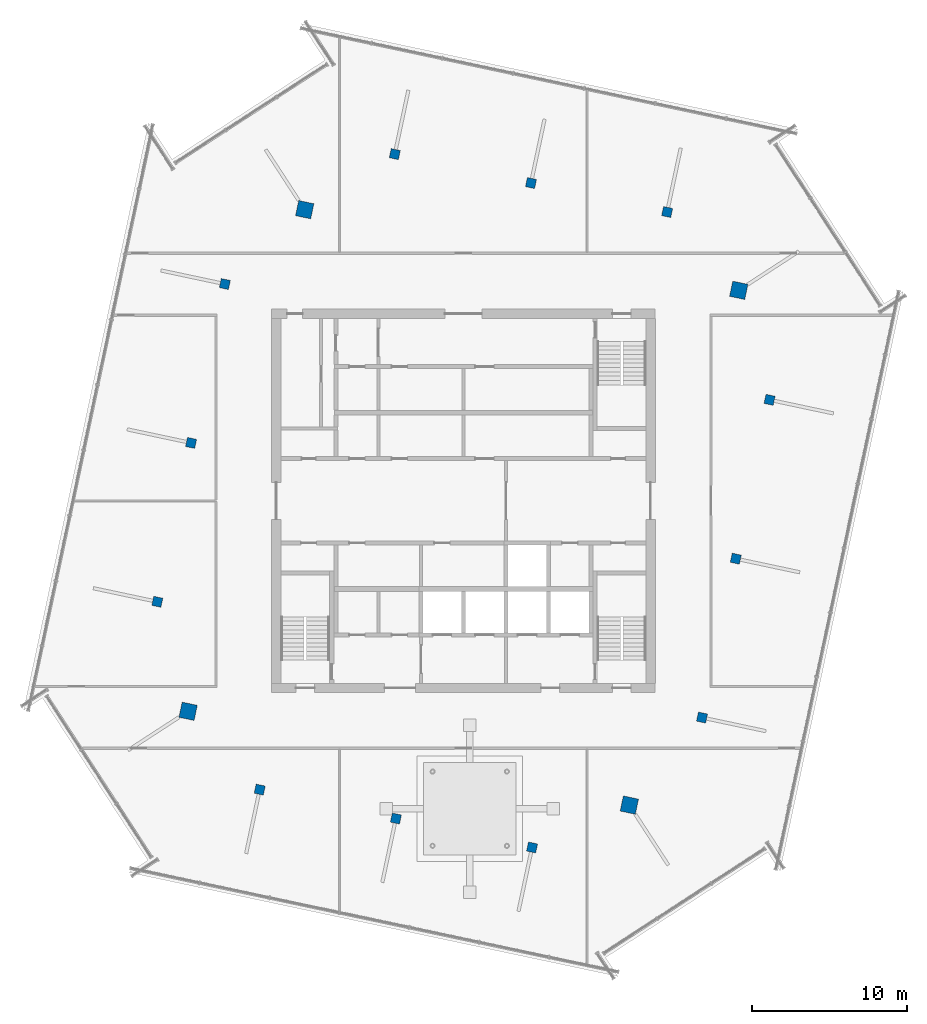
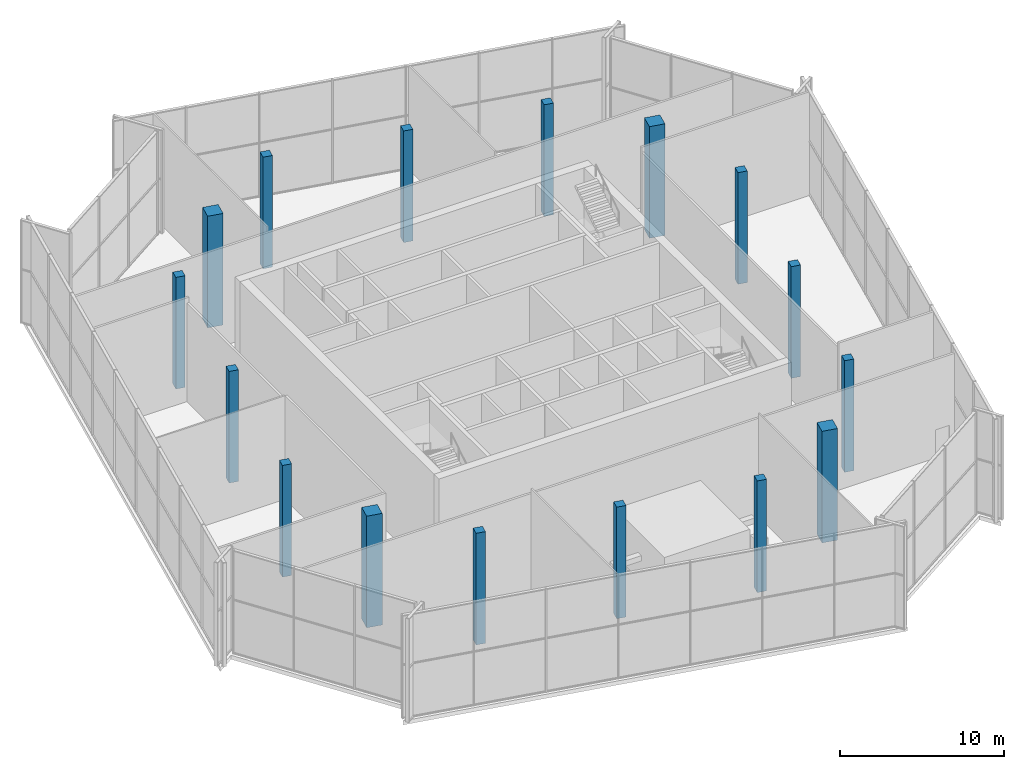
# One storey, part 1 of 14: 16 columns.
"""IFC4 building model written with IfcOpenShell, lengths in metres."""

from ifc_helpers import new_model, si_unit, direction, frame, origin, origin_2d, place, context, subcontext, project, spatial, rectangle, extrude, material, material_profile, profile_set, type_object, element, save


model = new_model("IFC4")

# Units and contexts
model_context = context("Model", 3, precision=1e-05, world=origin(), true_north=direction((0.0, 1.0)))
body_context = subcontext(model_context, "Body", "Model", "MODEL_VIEW")
ifc_project = project(units=[si_unit("LENGTHUNIT", "METRE"), si_unit("AREAUNIT", "SQUARE_METRE"), si_unit("VOLUMEUNIT", "CUBIC_METRE"), si_unit("PLANEANGLEUNIT", "RADIAN"), si_unit("MASSUNIT", "GRAM", prefix="KILO")], contexts=[model_context])

# Site, building, storey
site_placement = place(None, origin())
site = spatial("IfcSite", under=ifc_project, at=site_placement, CompositionType="ELEMENT")
building_placement = place(site_placement, origin())
building = spatial("IfcBuilding", under=site, at=building_placement, Name="Dilmun Exchange Tower", CompositionType="ELEMENT")
storey_placement = place(building_placement, frame((0.0, 0.0, 350.10009765625)))
storey = spatial("IfcBuildingStorey", under=building, at=storey_placement, Name="Crown L83", CompositionType="ELEMENT", Elevation=350.10009765625)

# Columns
ifc_material = material(Name="Concrete C50/60", Category="concrete")
ifc_material_profile_1 = material_profile(ifc_material, rectangle(XDim=1.0, YDim=1.0, at=origin_2d()), Name="1000 x 1000")
ifc_profile_set_1 = profile_set([ifc_material_profile_1], Name="Concrete C50/60")
column_type_1 = type_object("IfcColumnType", Name="RC crown mega column 1000 x 1000 C50/60", PredefinedType="COLUMN", material=ifc_profile_set_1)
for number, where, z_axis, x_axis, name in (
    (1, (-10.260986328125, 18.820068359375, -0.300048828125), (0.0, 0.0, 1.0), (0.207911690818, 0.978147600734, 0.0), "Crown column M1"),
    (2, (-17.798095703125, -13.60693359375, -0.300048828125), (0.0, 0.0, 1.0), (0.207911690818, 0.978147600734, 0.0), "Crown column M2"),
    (3, (10.72509765625, -19.669921875, -0.300048828125), (0.0, 0.0, 1.0), (0.207911690818, 0.978147600734, 0.0), "Crown column M3"),
    (4, (17.798095703125, 13.60693359375, -0.300048828125), (0.0, 0.0, 1.0), (0.207911690818, 0.978147600734, 0.0), "Crown column M4"),
):
    element("IfcColumn", number, at=place(storey_placement, frame(where, z_axis=z_axis, x_axis=x_axis)), inside=storey, type_object=column_type_1, Name=name, PredefinedType="COLUMN", context=body_context, shape_type="SweptSolid", body=[
        extrude(rectangle(XDim=1.0, YDim=1.0, at=origin_2d()), origin(), (0.0, 0.0, 1.0), 8.300048828125),
    ])
ifc_material_profile_2 = material_profile(ifc_material, rectangle(XDim=0.60009765625, YDim=0.60009765625, at=origin_2d()), Name="600 x 600")
ifc_profile_set_2 = profile_set([ifc_material_profile_2], Name="Concrete C50/60")
column_type_2 = type_object("IfcColumnType", Name="RC crown ring column 600 x 600 C50/60", PredefinedType="COLUMN", material=ifc_profile_set_2)
for number, where, z_axis, x_axis, name in (
    (5, (-15.424072265625, 14.012939453125, -0.300048828125), (0.0, 0.0, 1.0), (0.207911690818, 0.978147600734, 0.0), "Crown column R01"),
    (6, (-17.60693359375, 3.741943359375, -0.300048828125), (0.0, 0.0, 1.0), (0.207911690818, 0.978147600734, 0.0), "Crown column R02"),
    (7, (-19.7900390625, -6.528076171875, -0.300048828125), (0.0, 0.0, 1.0), (0.207911690818, 0.978147600734, 0.0), "Crown column R03"),
    (8, (-13.1689453125, -18.669921875, -0.300048828125), (0.0, 0.0, 1.0), (0.207911690818, 0.978147600734, 0.0), "Crown column R04"),
    (9, (-4.365966796875, -20.541015625, -0.300048828125), (0.0, 0.0, 1.0), (0.207911690818, 0.978147600734, 0.0), "Crown column R05"),
    (10, (4.43701171875, -22.412109375, -0.300048828125), (0.0, 0.0, 1.0), (0.207911690818, 0.978147600734, 0.0), "Crown column R06"),
    (11, (15.424072265625, -14.012939453125, -0.300048828125), (0.0, 0.0, 1.0), (0.207911690818, 0.978147600734, 0.0), "Crown column R07"),
    (12, (17.60693359375, -3.741943359375, -0.300048828125), (0.0, 0.0, 1.0), (0.207911690818, 0.978147600734, 0.0), "Crown column R08"),
    (13, (19.7900390625, 6.528076171875, -0.300048828125), (0.0, 0.0, 1.0), (0.207911690818, 0.978147600734, 0.0), "Crown column R09"),
    (14, (13.1689453125, 18.669921875, -0.300048828125), (0.0, 0.0, 1.0), (0.207911690818, 0.978147600734, 0.0), "Crown column R10"),
    (15, (4.365966796875, 20.541015625, -0.300048828125), (0.0, 0.0, 1.0), (0.207911690818, 0.978147600734, 0.0), "Crown column R11"),
    (16, (-4.43701171875, 22.412109375, -0.300048828125), (0.0, 0.0, 1.0), (0.207911690818, 0.978147600734, 0.0), "Crown column R12"),
):
    element("IfcColumn", number, at=place(storey_placement, frame(where, z_axis=z_axis, x_axis=x_axis)), inside=storey, type_object=column_type_2, Name=name, PredefinedType="COLUMN", context=body_context, shape_type="SweptSolid", body=[
        extrude(rectangle(XDim=0.60009765625, YDim=0.60009765625, at=origin_2d()), origin(), (0.0, 0.0, 1.0), 8.300048828125),
    ])

save(model, "model.ifc")
